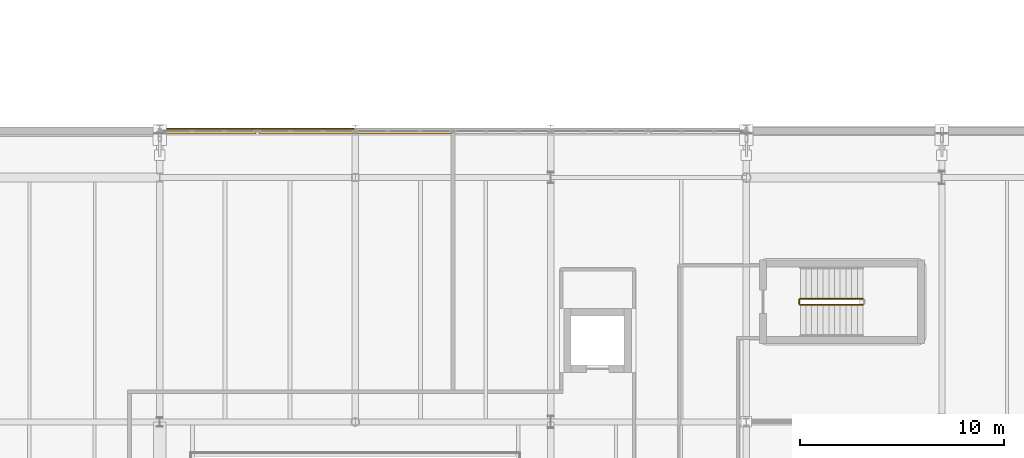
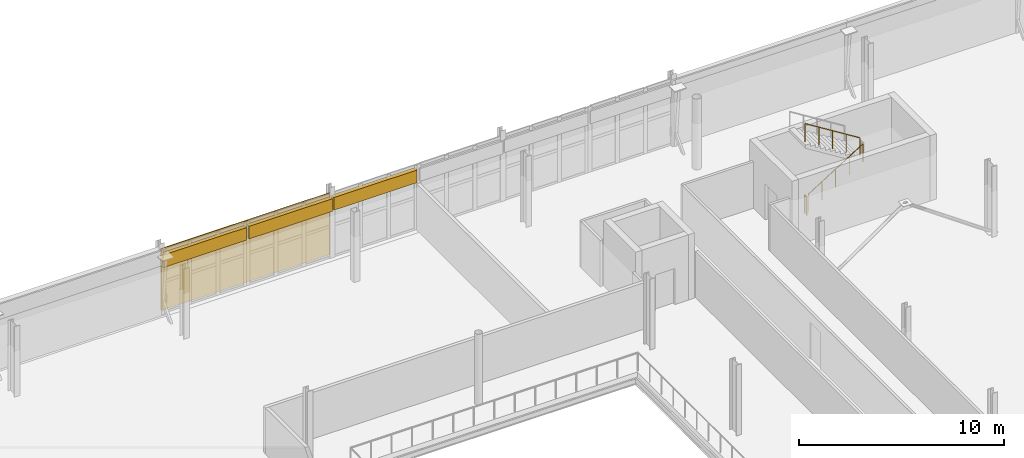
# One storey, part 80 of 90: 3 coverings, 3 railings, 1 shading device.
"""IFC4 building model written with IfcOpenShell, lengths in metres."""

from ifc_helpers import new_model, si_unit, direction, frame, origin, origin_2d, place, context, subcontext, project, spatial, polyline, rectangle, circle, outline, extrude, material, layer, layer_set, type_object, element, save


model = new_model("IFC4")

# Units and contexts
model_context = context("Model", 3, precision=1e-05, world=origin(), true_north=direction((0.0, 1.0)))
body_context = subcontext(model_context, "Body", "Model", "MODEL_VIEW")
ifc_project = project(units=[si_unit("LENGTHUNIT", "METRE"), si_unit("AREAUNIT", "SQUARE_METRE"), si_unit("VOLUMEUNIT", "CUBIC_METRE"), si_unit("PLANEANGLEUNIT", "RADIAN"), si_unit("MASSUNIT", "GRAM", prefix="KILO")], contexts=[model_context])

# Site, building, storey
site_placement = place(None, origin())
site = spatial("IfcSite", under=ifc_project, at=site_placement, CompositionType="ELEMENT")
building_placement = place(site_placement, origin())
building = spatial("IfcBuilding", under=site, at=building_placement, Name="Zereglee Splitstone Museum", CompositionType="ELEMENT")
storey_placement = place(building_placement, frame((0.0, 0.0, 4.800048828125)))
storey = spatial("IfcBuildingStorey", under=building, at=storey_placement, Name="L01", CompositionType="ELEMENT", Elevation=4.800048828125)

# Coverings
ifc_material_1 = material(Name="Honed Gobi pale limestone stringcourse and soffit cladding", Category="masonry")
ifc_layer_1 = layer(ifc_material_1, 0.070068359375)
ifc_layer_set_1 = layer_set([ifc_layer_1], Name="Honed Gobi pale limestone stringcourse and soffit cladding")
covering_type = type_object("IfcCoveringType", Name="CL-02", PredefinedType="CLADDING", material=ifc_layer_set_1)
for number, where, z_axis, x_axis, name in (
    (1, (109.179931640625, 52.679931640625, 2.844970703125), (0.0, 0.0, 1.0), (-1.0, 0.0, 0.0), "Mughal Carved Clerestory Jaali Frieze RC4-CW-L01-097-2"),
    (2, (104.419921875, 52.679931640625, 2.804931640625), (0.0, 0.0, 1.0), (-1.0, 0.0, 0.0), "Mughal Carved Clerestory Jaali Frieze RC4-CW-L01-098-1"),
    (3, (99.580078125, 52.679931640625, 2.784912109375), (0.0, 0.0, 1.0), (-1.0, 0.0, 0.0), "Mughal Carved Clerestory Jaali Frieze RC4-CW-L01-098-2"),
):
    element("IfcCovering", number, at=place(storey_placement, frame(where, z_axis=z_axis, x_axis=x_axis)), inside=storey, type_object=covering_type, Name=name, PredefinedType="CLADDING", context=body_context, shape_type="SweptSolid", body=[
        extrude(rectangle(XDim=4.679931640625, YDim=0.239990234375, at=origin_2d()), origin(), (0.0, 0.0, 1.0), 0.75),
    ])

# Railings
ifc_material_2 = material(Name="Painted steel S355J2 post-and-baluster guard", Category="steel")
railing_type = type_object("IfcRailingType", Name="GR-03", PredefinedType="BALUSTRADE", material=ifc_material_2)
railing_1_placement = place(storey_placement, frame((128.64990234375, 44.14990234375, 0.175048828125)))
element("IfcRailing", 4, at=railing_1_placement, inside=storey, type_object=railing_type, Name="L01 ST-03 stair guard 1", PredefinedType="BALUSTRADE", context=body_context, shape_type="SweptSolid", body=[
    extrude(circle(Radius=0.02392578125, at=origin_2d()), frame((0.0, 0.0, 1.076416015625), z_axis=(0.848028513186, 0.0, 0.529950602248), x_axis=(0.0, 1.0, 0.0)), (0.0, 0.0, 1.0), 3.632080078125),
    extrude(circle(Radius=0.02099609375, at=origin_2d()), origin(), (0.0, 0.0, 1.0), 1.052001953125),
    extrude(circle(Radius=0.02099609375, at=origin_2d()), frame((0.77001953125, 0.0, 0.481201171875)), (0.0, 0.0, 1.0), 1.052001953125),
    extrude(circle(Radius=0.02099609375, at=origin_2d()), frame((1.5400390625, 0.0, 0.96240234375)), (0.0, 0.0, 1.0), 1.052001953125),
    extrude(circle(Radius=0.02099609375, at=origin_2d()), frame((2.31005859375, 0.0, 1.443603515625)), (0.0, 0.0, 1.0), 1.052001953125),
    extrude(circle(Radius=0.02099609375, at=origin_2d()), frame((3.080078125, 0.0, 1.9248046875)), (0.0, 0.0, 1.0), 1.052001953125),
])
railing_2_placement = place(storey_placement, frame((131.72998046875, 44.449951171875, 2.27490234375)))
element("IfcRailing", 5, at=railing_2_placement, inside=storey, type_object=railing_type, Name="L01 ST-03 stair guard 3", PredefinedType="BALUSTRADE", context=body_context, shape_type="SweptSolid", body=[
    extrude(circle(Radius=0.02392578125, at=origin_2d()), frame((0.0, 0.0, 1.076416015625), z_axis=(-0.847998304005, 0.0, 0.529998940003), x_axis=(0.0, -1.0, 0.0)), (0.0, 0.0, 1.0), 3.632080078125),
    extrude(circle(Radius=0.02099609375, at=origin_2d()), origin(), (0.0, 0.0, 1.0), 1.052001953125),
    extrude(circle(Radius=0.02099609375, at=origin_2d()), frame((-0.77001953125, 0.0, 0.481201171875)), (0.0, 0.0, 1.0), 1.052001953125),
    extrude(circle(Radius=0.02099609375, at=origin_2d()), frame((-1.5400390625, 0.0, 0.96240234375)), (0.0, 0.0, 1.0), 1.052001953125),
    extrude(circle(Radius=0.02099609375, at=origin_2d()), frame((-2.31005859375, 0.0, 1.44384765625)), (0.0, 0.0, 1.0), 1.052001953125),
    extrude(circle(Radius=0.02099609375, at=origin_2d()), frame((-3.080078125, 0.0, 1.925048828125)), (0.0, 0.0, 1.0), 1.052001953125),
])
railing_3_placement = place(storey_placement, frame((128.60009765625, 44.199951171875, 0.0)))
element("IfcRailing", 6, at=railing_3_placement, inside=storey, type_object=railing_type, Name="L01 ST-03 stair guard 4", PredefinedType="BALUSTRADE", context=body_context, shape_type="SweptSolid", body=[
    extrude(circle(Radius=0.02392578125, at=origin_2d()), frame((0.0, 0.0, 1.076416015625), z_axis=(0.0, 1.0, 0.0), x_axis=(-1.0, 0.0, 0.0)), (0.0, 0.0, 1.0), 0.199951171875),
    extrude(circle(Radius=0.02099609375, at=origin_2d()), origin(), (0.0, 0.0, 1.0), 1.052001953125),
    extrude(circle(Radius=0.02099609375, at=origin_2d()), frame((0.0, 0.199951171875, 0.0)), (0.0, 0.0, 1.0), 1.052001953125),
])

# Shading device
ifc_material_3 = material(Name="Patinated architectural bronze CuSn8 geometric jali screen")
ifc_layer_2 = layer(ifc_material_3, 0.06005859375)
ifc_layer_set_2 = layer_set([ifc_layer_2], Name="Patinated architectural bronze CuSn8 geometric jali screen")
shading_device_type = type_object("IfcShadingDeviceType", Name="JL-01", PredefinedType="USERDEFINED", material=ifc_layer_set_2)
shading_device_placement = place(storey_placement, frame((106.75, 52.760009765625, 0.119873046875), z_axis=(0.0, 1.0, 0.0), x_axis=(-1.0, 0.0, 0.0)))
element("IfcShadingDevice", 7, at=shading_device_placement, inside=storey, type_object=shading_device_type, Name="Bronze Mughal Jali Screen 15", ObjectType="SCREEN", PredefinedType="USERDEFINED", context=body_context, shape_type="SweptSolid", body=[
    extrude(outline(polyline([(0.0, 0.0), (9.5, 0.0), (9.5, 3.66015625), (0.0, 3.66015625), (0.0, 0.0)])), origin(), (0.0, 0.0, 1.0), 0.06005859375),
])

save(model, "model.ifc")
